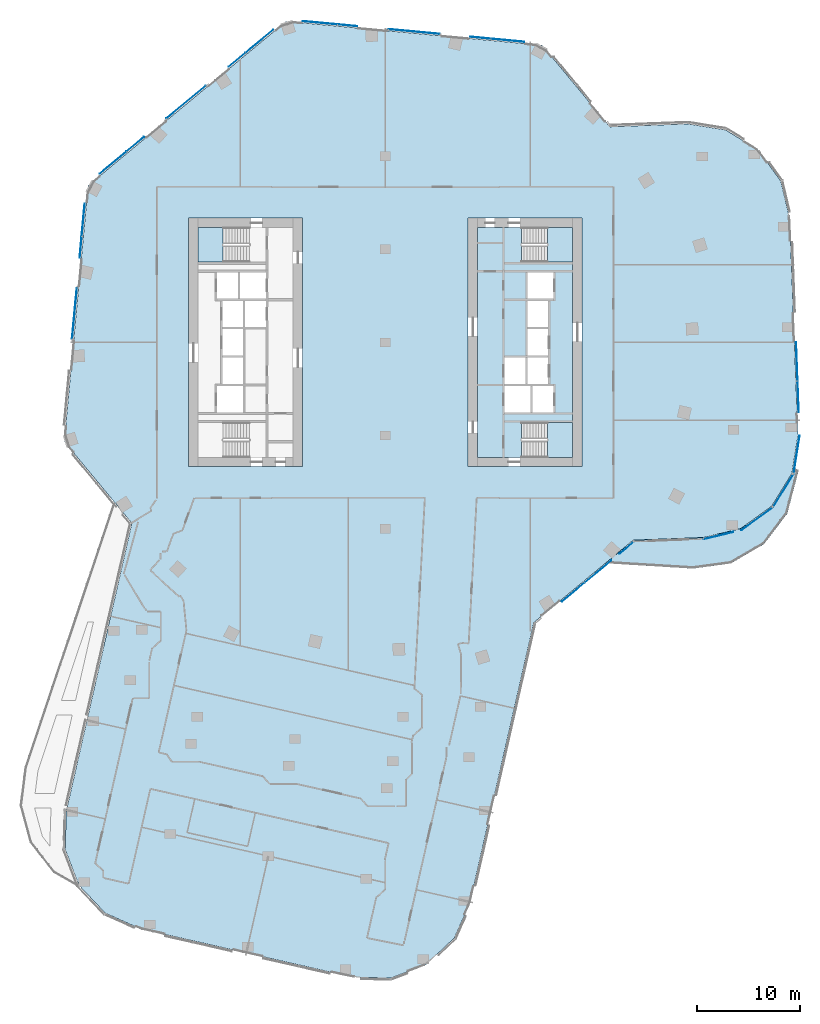
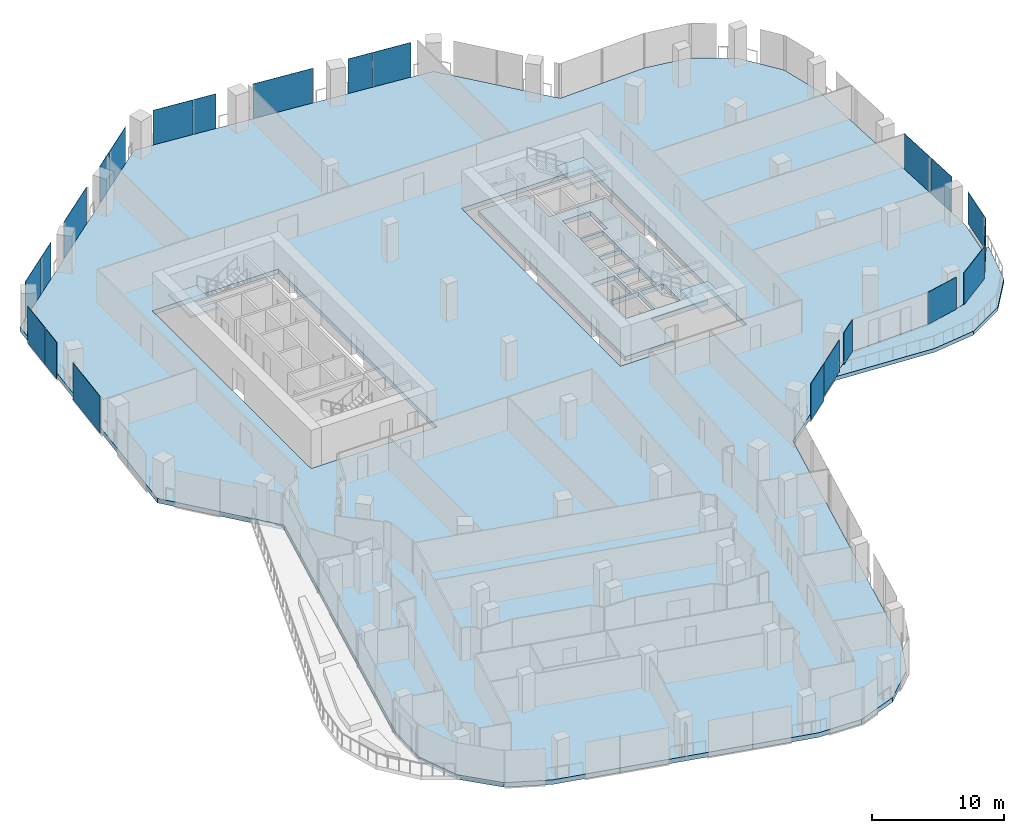
# One storey, part 15 of 28: 22 plates, 6 slabs, 12 elements without a shape of their own.
"""IFC4 building model written with IfcOpenShell, lengths in metres."""

from ifc_helpers import new_model, si_unit, direction, frame, origin, origin_2d, place, context, subcontext, project, spatial, polyline, rectangle, outline, extrude, material, layer, layer_set, type_object, element, aggregate, save


model = new_model("IFC4")

# Units and contexts
model_context = context("Model", 3, precision=1e-05, world=origin(), true_north=direction((0.0, 1.0)))
body_context = subcontext(model_context, "Body", "Model", "MODEL_VIEW")
ifc_project = project(units=[si_unit("LENGTHUNIT", "METRE"), si_unit("AREAUNIT", "SQUARE_METRE"), si_unit("VOLUMEUNIT", "CUBIC_METRE"), si_unit("PLANEANGLEUNIT", "RADIAN"), si_unit("MASSUNIT", "GRAM", prefix="KILO")], contexts=[model_context])

# Site, building, storey
site_placement = place(None, origin())
site = spatial("IfcSite", under=ifc_project, at=site_placement, CompositionType="ELEMENT")
building_placement = place(site_placement, origin())
building = spatial("IfcBuilding", under=site, at=building_placement, Name="Orlundy Tower", CompositionType="ELEMENT")
storey_placement = place(building_placement, frame((0.0, 0.0, 167.10009765625)))
storey = spatial("IfcBuildingStorey", under=building, at=storey_placement, Name="L43", CompositionType="ELEMENT", Elevation=167.10009765625)

# Curtain wall, plates
ifc_material_1 = material(Name="Aluminium bronze anodised", Category="aluminium")
curtain_wall_type = type_object("IfcCurtainWallType", Name="CW1 wall", PredefinedType="NOTDEFINED", material=ifc_material_1)
curtain_wall_1_placement = place(storey_placement, origin())
curtain_wall_1 = element("IfcCurtainWall", 1, at=curtain_wall_1_placement, inside=storey, type_object=curtain_wall_type, Name="CW1 run 02", PredefinedType="NOTDEFINED")
ifc_material_2 = material(Name="Tinted glass", Category="glass")
ifc_layer_1 = layer(ifc_material_2, 0.031982421875)
ifc_layer_set_1 = layer_set([ifc_layer_1], Name="CW1 glass panel 32")
plate_type = type_object("IfcPlateType", Name="CW1 glass panel 32", PredefinedType="CURTAIN_PANEL", material=ifc_layer_set_1)
plate_1_placement = place(storey_placement, frame((-30.033203125, 2.8037109375, -0.300048828125), z_axis=(0.0, 0.0, 1.0), x_axis=(0.092948066811, 0.995670958136, 0.0)))
plate_1 = element("IfcPlate", 2, at=plate_1_placement, type_object=plate_type, Name="CW1 panel", PredefinedType="CURTAIN_PANEL", context=body_context, shape_type="SweptSolid", body=[
    extrude(rectangle(XDim=4.92041015625, YDim=0.031982421875, at=origin_2d()), origin(), (0.0, 0.0, 1.0), 3.3798828125),
])
plate_2_placement = place(storey_placement, frame((-29.436279296875, 9.199951171875, -0.300048828125), z_axis=(0.0, 0.0, 1.0), x_axis=(0.092948066811, 0.995670958136, 0.0)))
plate_2 = element("IfcPlate", 3, at=plate_2_placement, type_object=plate_type, Name="CW1 panel", PredefinedType="CURTAIN_PANEL", context=body_context, shape_type="SweptSolid", body=[
    extrude(rectangle(XDim=2.013671875, YDim=0.031982421875, at=origin_2d()), origin(), (0.0, 0.0, 1.0), 3.3798828125),
])
plate_3_placement = place(storey_placement, frame((-29.18994140625, 11.8369140625, -0.300048828125), z_axis=(0.0, 0.0, 1.0), x_axis=(0.092948066811, 0.995670958136, 0.0)))
plate_3 = element("IfcPlate", 4, at=plate_3_placement, type_object=plate_type, Name="CW1 panel", PredefinedType="CURTAIN_PANEL", context=body_context, shape_type="SweptSolid", body=[
    extrude(rectangle(XDim=3.18359375, YDim=0.031982421875, at=origin_2d()), origin(), (0.0, 0.0, 1.0), 3.3798828125),
])
aggregate(curtain_wall_1, [plate_1, plate_2, plate_3])

curtain_wall_2_placement = place(storey_placement, origin())
curtain_wall_2 = element("IfcCurtainWall", 5, at=curtain_wall_2_placement, inside=storey, type_object=curtain_wall_type, Name="CW1 run 03", PredefinedType="NOTDEFINED")
plate_4_placement = place(storey_placement, frame((-26.30908203125, 17.369140625, -0.300048828125), z_axis=(0.0, 0.0, 1.0), x_axis=(0.769772426769, 0.638318424445, 0.0)))
plate_4 = element("IfcPlate", 6, at=plate_4_placement, type_object=plate_type, Name="CW1 panel", PredefinedType="CURTAIN_PANEL", context=body_context, shape_type="SweptSolid", body=[
    extrude(rectangle(XDim=3.3681640625, YDim=0.031982421875, at=origin_2d()), origin(), (0.0, 0.0, 1.0), 3.3798828125),
])
plate_5_placement = place(storey_placement, frame((-24.144287109375, 19.164306640625, -0.300048828125), z_axis=(0.0, 0.0, 1.0), x_axis=(0.769772426769, 0.638318424445, 0.0)))
plate_5 = element("IfcPlate", 7, at=plate_5_placement, type_object=plate_type, Name="CW1 panel", PredefinedType="CURTAIN_PANEL", context=body_context, shape_type="SweptSolid", body=[
    extrude(rectangle(XDim=2.156494140625, YDim=0.031982421875, at=origin_2d()), origin(), (0.0, 0.0, 1.0), 3.3798828125),
])
plate_6_placement = place(storey_placement, frame((-19.254150390625, 23.21923828125, -0.300048828125), z_axis=(0.0, 0.0, 1.0), x_axis=(0.769772426769, 0.638318424445, 0.0)))
plate_6 = element("IfcPlate", 8, at=plate_6_placement, type_object=plate_type, Name="CW1 panel", PredefinedType="CURTAIN_PANEL", context=body_context, shape_type="SweptSolid", body=[
    extrude(rectangle(XDim=4.920654296875, YDim=0.031982421875, at=origin_2d()), origin(), (0.0, 0.0, 1.0), 3.3798828125),
])
plate_7_placement = place(storey_placement, frame((-14.328369140625, 27.303955078125, -0.300048828125), z_axis=(0.0, 0.0, 1.0), x_axis=(0.769772426769, 0.638318424445, 0.0)))
plate_7 = element("IfcPlate", 9, at=plate_7_placement, type_object=plate_type, Name="CW1 panel", PredefinedType="CURTAIN_PANEL", context=body_context, shape_type="SweptSolid", body=[
    extrude(rectangle(XDim=2.0634765625, YDim=0.031982421875, at=origin_2d()), origin(), (0.0, 0.0, 1.0), 3.3798828125),
])
plate_8_placement = place(storey_placement, frame((-12.161865234375, 29.100341796875, -0.300048828125), z_axis=(0.0, 0.0, 1.0), x_axis=(0.769772426769, 0.638318424445, 0.0)))
plate_8 = element("IfcPlate", 10, at=plate_8_placement, type_object=plate_type, Name="CW1 panel", PredefinedType="CURTAIN_PANEL", context=body_context, shape_type="SweptSolid", body=[
    extrude(rectangle(XDim=3.46533203125, YDim=0.031982421875, at=origin_2d()), origin(), (0.0, 0.0, 1.0), 3.3798828125),
])
aggregate(curtain_wall_2, [plate_4, plate_5, plate_6, plate_7, plate_8])

curtain_wall_3_placement = place(storey_placement, origin())
curtain_wall_3 = element("IfcCurtainWall", 11, at=curtain_wall_3_placement, inside=storey, type_object=curtain_wall_type, Name="CW1 run 04", PredefinedType="NOTDEFINED")
plate_9_placement = place(storey_placement, frame((-6.30029296875, 30.883056640625, -0.300048828125), z_axis=(0.0, 0.0, 1.0), x_axis=(0.995670958136, -0.092948066811, 0.0)))
plate_9 = element("IfcPlate", 12, at=plate_9_placement, type_object=plate_type, Name="CW1 panel", PredefinedType="CURTAIN_PANEL", context=body_context, shape_type="SweptSolid", body=[
    extrude(rectangle(XDim=3.32568359375, YDim=0.031982421875, at=origin_2d()), origin(), (0.0, 0.0, 1.0), 3.3798828125),
])
plate_10_placement = place(storey_placement, frame((-3.66357421875, 30.636962890625, -0.300048828125), z_axis=(0.0, 0.0, 1.0), x_axis=(0.995670958136, -0.092948066811, 0.0)))
plate_10 = element("IfcPlate", 13, at=plate_10_placement, type_object=plate_type, Name="CW1 panel", PredefinedType="CURTAIN_PANEL", context=body_context, shape_type="SweptSolid", body=[
    extrude(rectangle(XDim=1.87060546875, YDim=0.031982421875, at=origin_2d()), origin(), (0.0, 0.0, 1.0), 3.3798828125),
])
plate_11_placement = place(storey_placement, frame((2.8037109375, 30.033203125, -0.300048828125), z_axis=(0.0, 0.0, 1.0), x_axis=(0.995670958136, -0.092948066811, 0.0)))
plate_11 = element("IfcPlate", 14, at=plate_11_placement, type_object=plate_type, Name="CW1 panel", PredefinedType="CURTAIN_PANEL", context=body_context, shape_type="SweptSolid", body=[
    extrude(rectangle(XDim=4.92041015625, YDim=0.031982421875, at=origin_2d()), origin(), (0.0, 0.0, 1.0), 3.3798828125),
])
plate_12_placement = place(storey_placement, frame((9.199951171875, 29.436279296875, -0.300048828125), z_axis=(0.0, 0.0, 1.0), x_axis=(0.995670958136, -0.092948066811, 0.0)))
plate_12 = element("IfcPlate", 15, at=plate_12_placement, type_object=plate_type, Name="CW1 panel", PredefinedType="CURTAIN_PANEL", context=body_context, shape_type="SweptSolid", body=[
    extrude(rectangle(XDim=2.013671875, YDim=0.031982421875, at=origin_2d()), origin(), (0.0, 0.0, 1.0), 3.3798828125),
])
plate_13_placement = place(storey_placement, frame((11.8369140625, 29.18994140625, -0.300048828125), z_axis=(0.0, 0.0, 1.0), x_axis=(0.995670958136, -0.092948066811, 0.0)))
plate_13 = element("IfcPlate", 16, at=plate_13_placement, type_object=plate_type, Name="CW1 panel", PredefinedType="CURTAIN_PANEL", context=body_context, shape_type="SweptSolid", body=[
    extrude(rectangle(XDim=3.18359375, YDim=0.031982421875, at=origin_2d()), origin(), (0.0, 0.0, 1.0), 3.3798828125),
])
aggregate(curtain_wall_3, [plate_9, plate_10, plate_11, plate_12, plate_13])

curtain_wall_4_placement = place(storey_placement, origin())
curtain_wall_4 = element("IfcCurtainWall", 17, at=curtain_wall_4_placement, inside=storey, type_object=curtain_wall_type, Name="CW1 run 011", PredefinedType="NOTDEFINED")
plate_14_placement = place(storey_placement, frame((39.762939453125, -1.860595703125, -0.300048828125), z_axis=(0.0, 0.0, 1.0), x_axis=(0.03780949547, -0.999284965389, 0.0)))
plate_14 = element("IfcPlate", 18, at=plate_14_placement, type_object=plate_type, Name="CW1 panel", PredefinedType="CURTAIN_PANEL", context=body_context, shape_type="SweptSolid", body=[
    extrude(rectangle(XDim=3.724365234375, YDim=0.031982421875, at=origin_2d()), origin(), (0.0, 0.0, 1.0), 3.3798828125),
])
plate_15_placement = place(storey_placement, frame((39.8916015625, -5.260986328125, -0.300048828125), z_axis=(0.0, 0.0, 1.0), x_axis=(0.03780949547, -0.999284965389, 0.0)))
plate_15 = element("IfcPlate", 19, at=plate_15_placement, type_object=plate_type, Name="CW1 panel", PredefinedType="CURTAIN_PANEL", context=body_context, shape_type="SweptSolid", body=[
    extrude(rectangle(XDim=2.98095703125, YDim=0.031982421875, at=origin_2d()), origin(), (0.0, 0.0, 1.0), 3.3798828125),
])
aggregate(curtain_wall_4, [plate_14, plate_15])

# Curtain wall, plate
curtain_wall_5_placement = place(storey_placement, origin())
curtain_wall_5 = element("IfcCurtainWall", 20, at=curtain_wall_5_placement, inside=storey, type_object=curtain_wall_type, Name="CW1 run 012", PredefinedType="NOTDEFINED")
plate_16_placement = place(storey_placement, frame((39.735107421875, -10.87548828125, 0.119873046875), z_axis=(0.0, 0.0, 1.0), x_axis=(-0.157832660108, -0.987465873539, 0.0)))
plate_16 = element("IfcPlate", 21, at=plate_16_placement, type_object=plate_type, Name="CW1 panel", PredefinedType="CURTAIN_PANEL", context=body_context, shape_type="SweptSolid", body=[
    extrude(rectangle(XDim=3.730224609375, YDim=0.031982421875, at=origin_2d()), origin(), (0.0, 0.0, 1.0), 2.9599609375),
])
aggregate(curtain_wall_5, [plate_16])

curtain_wall_6_placement = place(storey_placement, origin())
curtain_wall_6 = element("IfcCurtainWall", 22, at=curtain_wall_6_placement, inside=storey, type_object=curtain_wall_type, Name="CW1 run 013", PredefinedType="NOTDEFINED")
plate_17_placement = place(storey_placement, frame((38.45263671875, -14.323974609375, 0.119873046875), z_axis=(0.0, 0.0, 1.0), x_axis=(-0.523826505898, -0.851824977163, 0.0)))
plate_17 = element("IfcPlate", 23, at=plate_17_placement, type_object=plate_type, Name="CW1 panel", PredefinedType="CURTAIN_PANEL", context=body_context, shape_type="SweptSolid", body=[
    extrude(rectangle(XDim=3.772705078125, YDim=0.031982421875, at=origin_2d()), origin(), (0.0, 0.0, 1.0), 2.9599609375),
])
aggregate(curtain_wall_6, [plate_17])

curtain_wall_7_placement = place(storey_placement, origin())
curtain_wall_7 = element("IfcCurtainWall", 24, at=curtain_wall_7_placement, inside=storey, type_object=curtain_wall_type, Name="CW1 run 014", PredefinedType="NOTDEFINED")
plate_18_placement = place(storey_placement, frame((35.937255859375, -17.036865234375, 0.119873046875), z_axis=(0.0, 0.0, 1.0), x_axis=(-0.809924443503, -0.586534223909, 0.0)))
plate_18 = element("IfcPlate", 25, at=plate_18_placement, type_object=plate_type, Name="CW1 panel", PredefinedType="CURTAIN_PANEL", context=body_context, shape_type="SweptSolid", body=[
    extrude(rectangle(XDim=3.771728515625, YDim=0.031982421875, at=origin_2d()), origin(), (0.0, 0.0, 1.0), 2.9599609375),
])
aggregate(curtain_wall_7, [plate_18])

curtain_wall_8_placement = place(storey_placement, origin())
curtain_wall_8 = element("IfcCurtainWall", 26, at=curtain_wall_8_placement, inside=storey, type_object=curtain_wall_type, Name="CW1 run 015", PredefinedType="NOTDEFINED")
plate_19_placement = place(storey_placement, frame((32.206298828125, -18.669189453125, 0.119873046875), z_axis=(0.0, 0.0, 1.0), x_axis=(-0.972643862343, -0.232301349645, 0.0)))
plate_19 = element("IfcPlate", 27, at=plate_19_placement, type_object=plate_type, Name="CW1 panel", PredefinedType="CURTAIN_PANEL", context=body_context, shape_type="SweptSolid", body=[
    extrude(rectangle(XDim=2.92919921875, YDim=0.031982421875, at=origin_2d()), origin(), (0.0, 0.0, 1.0), 2.9599609375),
])
aggregate(curtain_wall_8, [plate_19])

# Curtain wall, plates
curtain_wall_9_placement = place(storey_placement, origin())
curtain_wall_9 = element("IfcCurtainWall", 28, at=curtain_wall_9_placement, inside=storey, type_object=curtain_wall_type, Name="CW1 run 017", PredefinedType="NOTDEFINED")
plate_20_placement = place(storey_placement, frame((23.319091796875, -19.848388671875, 0.119873046875), z_axis=(0.0, 0.0, 1.0), x_axis=(-0.769761799816, -0.638331239674, 0.0)))
plate_20 = element("IfcPlate", 29, at=plate_20_placement, type_object=plate_type, Name="CW1 panel", PredefinedType="CURTAIN_PANEL", context=body_context, shape_type="SweptSolid", body=[
    extrude(rectangle(XDim=1.81298828125, YDim=0.031982421875, at=origin_2d()), origin(), (0.0, 0.0, 1.0), 2.9599609375),
])
plate_21_placement = place(storey_placement, frame((20.555908203125, -22.139892578125, 0.119873046875), z_axis=(0.0, 0.0, 1.0), x_axis=(-0.769761799816, -0.638331239674, 0.0)))
plate_21 = element("IfcPlate", 30, at=plate_21_placement, type_object=plate_type, Name="CW1 panel", PredefinedType="CURTAIN_PANEL", context=body_context, shape_type="SweptSolid", body=[
    extrude(rectangle(XDim=3.33203125, YDim=0.031982421875, at=origin_2d()), origin(), (0.0, 0.0, 1.0), 2.9599609375),
])
plate_22_placement = place(storey_placement, frame((18.150146484375, -24.134765625, -0.300048828125), z_axis=(0.0, 0.0, 1.0), x_axis=(-0.769761799816, -0.638331239674, 0.0)))
plate_22 = element("IfcPlate", 31, at=plate_22_placement, type_object=plate_type, Name="CW1 panel", PredefinedType="CURTAIN_PANEL", context=body_context, shape_type="SweptSolid", body=[
    extrude(rectangle(XDim=2.818603515625, YDim=0.031982421875, at=origin_2d()), origin(), (0.0, 0.0, 1.0), 3.3798828125),
])
aggregate(curtain_wall_9, [plate_20, plate_21, plate_22])

# Slab
ifc_material_3 = material(Name="Concrete C50/60", Category="concrete")
ifc_layer_2 = layer(ifc_material_3, 0.419921875)
ifc_layer_set_2 = layer_set([ifc_layer_2], Name="Core Floor Slab 420")
slab_type_1 = type_object("IfcSlabType", Name="Core Floor Slab 420", PredefinedType="FLOOR", material=ifc_layer_set_2)
slab_1_placement = place(storey_placement, frame((0.0, 0.0, -0.420166015625)))
element("IfcSlab", 32, at=slab_1_placement, inside=storey, type_object=slab_type_1, Name="Core floor E34", PredefinedType="FLOOR", context=body_context, shape_type="SweptSolid", body=[
    extrude(outline(polyline([(13.14501953125, 11.10009765625), (13.14501953125, 7.75), (18.10009765625, 7.75), (18.10009765625, -7.75), (13.14501953125, -7.75), (13.14501953125, -11.10009765625), (8.89990234375, -11.10009765625), (8.89990234375, 11.10009765625), (13.14501953125, 11.10009765625)]), holes=[polyline([(13.739990234375, 4.22509765625), (16.239990234375, 4.22509765625), (16.239990234375, 6.77490234375), (13.739990234375, 6.77490234375), (13.739990234375, 4.22509765625)]), polyline([(13.739990234375, 4.02490234375), (13.739990234375, 1.47509765625), (15.739990234375, 1.47509765625), (15.739990234375, 4.02490234375), (13.739990234375, 4.02490234375)]), polyline([(15.739990234375, 1.27490234375), (13.739990234375, 1.27490234375), (13.739990234375, -1.27490234375), (15.739990234375, -1.27490234375), (15.739990234375, 1.27490234375)]), polyline([(13.5400390625, -4.02490234375), (13.5400390625, -1.47509765625), (11.5400390625, -1.47509765625), (11.5400390625, -4.02490234375), (13.5400390625, -4.02490234375)]), polyline([(13.739990234375, -4.02490234375), (15.739990234375, -4.02490234375), (15.739990234375, -1.47509765625), (13.739990234375, -1.47509765625), (13.739990234375, -4.02490234375)]), polyline([(11.5400390625, -4.22509765625), (11.5400390625, -6.77490234375), (14.0400390625, -6.77490234375), (14.0400390625, -4.22509765625), (11.5400390625, -4.22509765625)]), polyline([(16.239990234375, -4.22509765625), (14.239990234375, -4.22509765625), (14.239990234375, -6.77490234375), (16.239990234375, -6.77490234375), (16.239990234375, -4.22509765625)])]), origin(), (0.0, 0.0, 1.0), 0.420166015625),
])

# Stair, slab
ifc_material_4 = material(Name="Concrete C50/60", Category="concrete")
stair_type = type_object("IfcStairType", Name="Exit Stair 20 risers", PredefinedType="HALF_TURN_STAIR", material=ifc_material_4)
stair_1_placement = place(storey_placement, origin())
stair_1 = element("IfcStair", 33, at=stair_1_placement, inside=storey, type_object=stair_type, Name="L43 Exit Stair ST-W1", PredefinedType="HALF_TURN_STAIR")
ifc_material_5 = material(Name="Concrete C50/60", Category="concrete")
ifc_layer_3 = layer(ifc_material_5, 0.199951171875)
ifc_layer_set_3 = layer_set([ifc_layer_3], Name="Exit Stair Landing")
slab_type_2 = type_object("IfcSlabType", Name="Exit Stair Landing", PredefinedType="LANDING", material=ifc_layer_set_3)
slab_2_placement = place(storey_placement, frame((0.0, 0.0, 1.5498046875)))
slab_2 = element("IfcSlab", 34, at=slab_2_placement, type_object=slab_type_2, Name="ST-W1 landing 1", PredefinedType="LANDING", context=body_context, shape_type="SweptSolid", body=[
    extrude(outline(polyline([(-15.659912109375, 11.10009765625), (-18.10009765625, 11.10009765625), (-18.10009765625, 7.75), (-15.659912109375, 7.75), (-15.659912109375, 11.10009765625)])), origin(), (0.0, 0.0, 1.0), 0.2001953125),
])
aggregate(stair_1, [slab_2])

stair_2_placement = place(storey_placement, origin())
stair_2 = element("IfcStair", 35, at=stair_2_placement, inside=storey, type_object=stair_type, Name="L43 Exit Stair ST-E1", PredefinedType="HALF_TURN_STAIR")
slab_3_placement = place(storey_placement, frame((0.0, 0.0, 1.5498046875)))
slab_3 = element("IfcSlab", 36, at=slab_3_placement, type_object=slab_type_2, Name="ST-E1 landing 1", PredefinedType="LANDING", context=body_context, shape_type="SweptSolid", body=[
    extrude(outline(polyline([(15.659912109375, -11.10009765625), (18.10009765625, -11.10009765625), (18.10009765625, -7.75), (15.659912109375, -7.75), (15.659912109375, -11.10009765625)])), origin(), (0.0, 0.0, 1.0), 0.2001953125),
])
aggregate(stair_2, [slab_3])

stair_3_placement = place(storey_placement, origin())
stair_3 = element("IfcStair", 37, at=stair_3_placement, inside=storey, type_object=stair_type, Name="L43 Exit Stair ST-E2", PredefinedType="HALF_TURN_STAIR")
slab_4_placement = place(storey_placement, frame((0.0, 0.0, 1.5498046875)))
slab_4 = element("IfcSlab", 38, at=slab_4_placement, type_object=slab_type_2, Name="ST-E2 landing 1", PredefinedType="LANDING", context=body_context, shape_type="SweptSolid", body=[
    extrude(outline(polyline([(15.659912109375, 7.75), (18.10009765625, 7.75), (18.10009765625, 11.10009765625), (15.659912109375, 11.10009765625), (15.659912109375, 7.75)])), origin(), (0.0, 0.0, 1.0), 0.2001953125),
])
aggregate(stair_3, [slab_4])

# Slabs
ifc_material_6 = material(Name="Concrete C45/55", Category="concrete")
ifc_layer_4 = layer(ifc_material_6, 0.35009765625)
ifc_layer_set_4 = layer_set([ifc_layer_4], Name="TERRACE SLAB 350 C45/55")
slab_type_3 = type_object("IfcSlabType", Name="TERRACE SLAB 350 C45/55", PredefinedType="ROOF", material=ifc_layer_set_4)
slab_5_placement = place(storey_placement, frame((0.0, 0.0, -0.35009765625)))
element("IfcSlab", 39, at=slab_5_placement, inside=storey, type_object=slab_type_3, Name="Terrace slab L43-1", PredefinedType="ROOF", context=body_context, shape_type="SweptSolid", body=[
    extrude(outline(polyline([(21.264892578125, -21.337890625), (23.955078125, -19.10791015625), (30.735107421875, -18.85205078125), (34.340087890625, -17.990966796875), (37.342041015625, -15.81689453125), (39.56591796875, -12.198974609375), (39.93994140625, -12.35888671875), (38.840087890625, -16.537109375), (36.595947265625, -19.488037109375), (33.39404296875, -21.35498046875), (29.720947265625, -21.85498046875), (21.264892578125, -21.337890625)])), origin(), (0.0, 0.0, 1.0), 0.35009765625),
])
ifc_material_7 = material(Name="Concrete C45/55", Category="concrete")
ifc_layer_5 = layer(ifc_material_7, 0.419921875)
ifc_layer_set_5 = layer_set([ifc_layer_5], Name="TRANSFER FLOOR SLAB 420 C45/55")
slab_type_4 = type_object("IfcSlabType", Name="TRANSFER FLOOR SLAB 420 C45/55", PredefinedType="FLOOR", material=ifc_layer_set_5)
slab_6_placement = place(storey_placement, frame((0.0, 0.0, -0.420166015625)))
element("IfcSlab", 40, at=slab_6_placement, inside=storey, type_object=slab_type_4, Name="Floor slab L43", PredefinedType="FLOOR", context=body_context, shape_type="SweptSolid", body=[
    extrude(outline(polyline([(-24.490966796875, -17.464111328125), (-31.02490234375, -9.583984375), (-28.715087890625, 15.160888671875), (-9.583984375, 31.02490234375), (15.160888671875, 28.715087890625), (21.695068359375, 20.8349609375), (29.221923828125, 21.1201171875), (32.883056640625, 20.534912109375), (36.0400390625, 18.593017578125), (38.215087890625, 15.591064453125), (39.074951171875, 11.986083984375), (39.868896484375, -8.9990234375), (39.283935546875, -12.658935546875), (37.342041015625, -15.81689453125), (34.340087890625, -17.990966796875), (30.735107421875, -18.85205078125), (23.955078125, -19.10791015625), (14.343994140625, -27.077880859375), (8.173095703125, -54.16796875), (6.659912109375, -57.552001953125), (3.967041015625, -60.10009765625), (0.5048828125, -61.423095703125), (-3.199951171875, -61.321044921875), (-23.676025390625, -56.656982421875), (-27.06005859375, -55.14404296875), (-29.60693359375, -52.450927734375), (-30.930908203125, -48.989013671875), (-30.827880859375, -45.283935546875), (-24.490966796875, -17.464111328125)]), holes=[polyline([(-8.0, -12.0), (-8.0, 12.0), (-19.0, 12.0), (-19.0, -12.0), (-8.0, -12.0)]), polyline([(19.0, -12.0), (19.0, 12.0), (8.0, 12.0), (8.0, -12.0), (19.0, -12.0)])]), origin(), (0.0, 0.0, 1.0), 0.420166015625),
])

save(model, "model.ifc")
